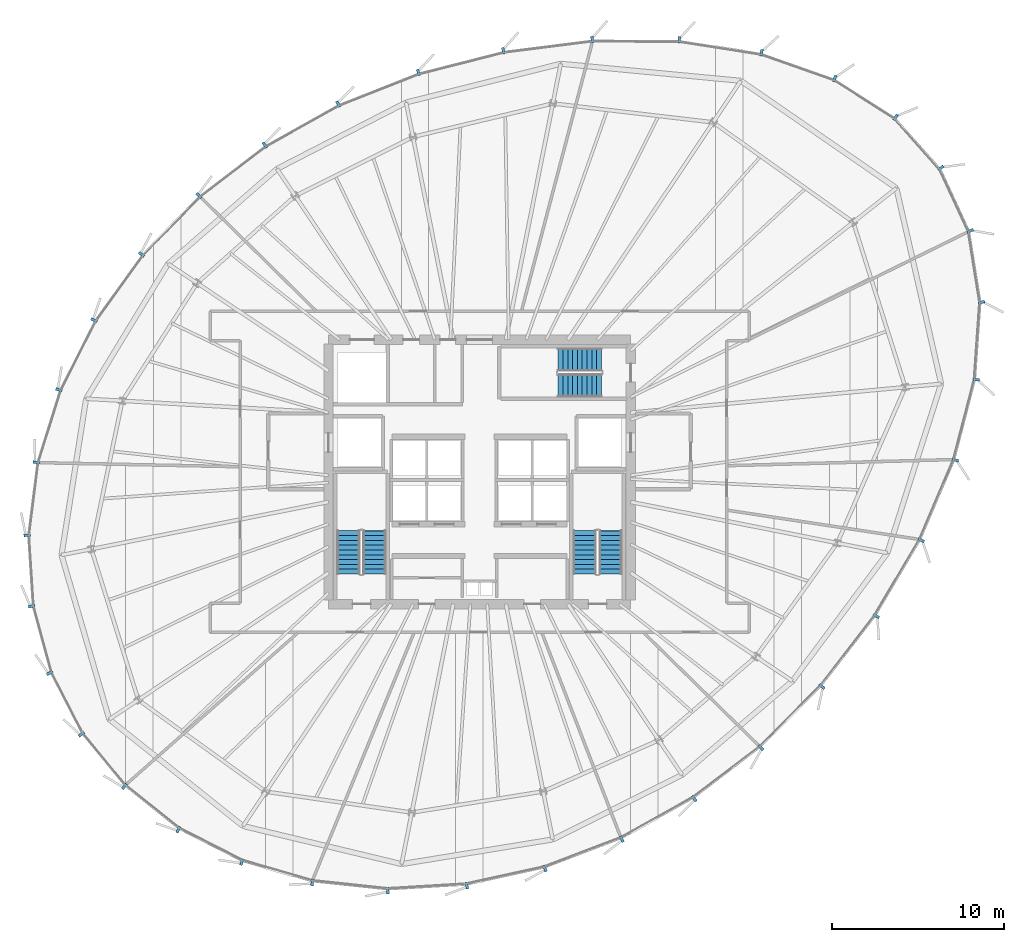
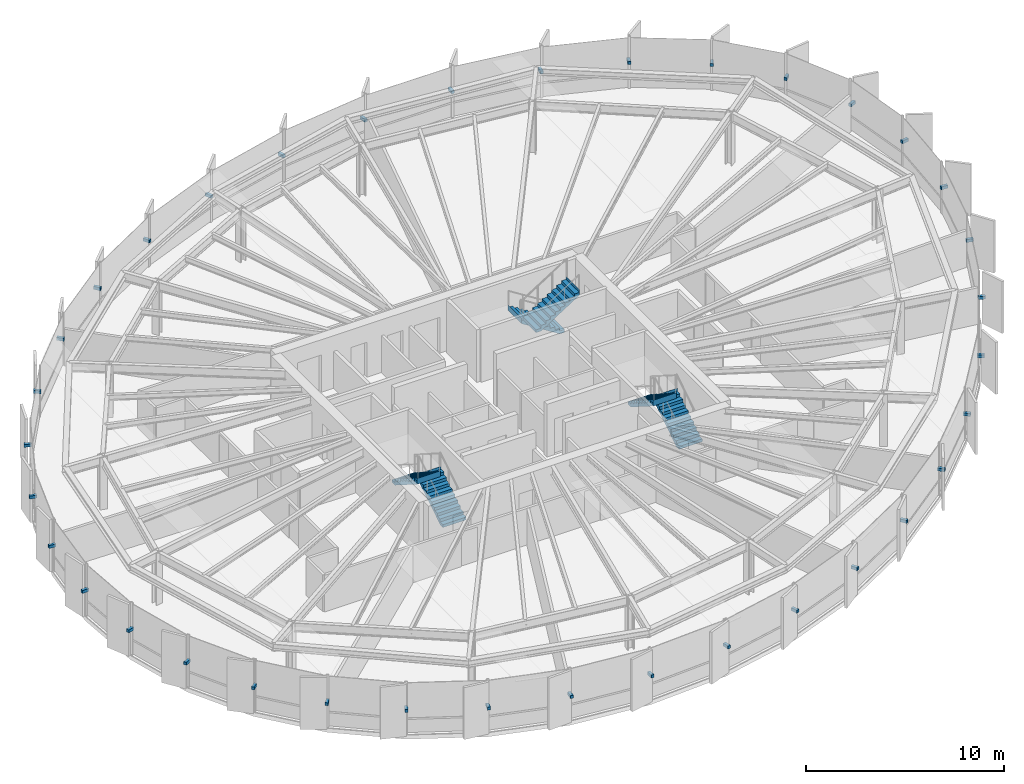
# One storey, part 31 of 35: 36 discrete accessories, 6 stair flights, 3 elements without a shape of their own.
"""IFC4 building model written with IfcOpenShell, lengths in metres."""

from ifc_helpers import new_model, si_unit, direction, frame, origin, origin_2d, place, context, subcontext, project, spatial, polyline, rectangle, outline, extrude, source, transform, mapped, material, type_object, element, aggregate, save


model = new_model("IFC4")

# Units and contexts
model_context = context("Model", 3, precision=1e-05, world=origin(), true_north=direction((0.0, 1.0)))
body_context = subcontext(model_context, "Body", "Model", "MODEL_VIEW")
ifc_project = project(units=[si_unit("LENGTHUNIT", "METRE"), si_unit("AREAUNIT", "SQUARE_METRE"), si_unit("VOLUMEUNIT", "CUBIC_METRE"), si_unit("PLANEANGLEUNIT", "RADIAN"), si_unit("MASSUNIT", "GRAM", prefix="KILO"), si_unit("THERMODYNAMICTEMPERATUREUNIT", "KELVIN")], contexts=[model_context])

# Site, building, storey
site_placement = place(None, origin())
site = spatial("IfcSite", under=ifc_project, at=site_placement, CompositionType="ELEMENT")
building_placement = place(site_placement, origin())
building = spatial("IfcBuilding", under=site, at=building_placement, Name="Kethvar Cultural Tower", CompositionType="ELEMENT")
storey_placement = place(building_placement, frame((0.0, 0.0, 167.85009765625)))
storey = spatial("IfcBuildingStorey", under=building, at=storey_placement, Name="L43", CompositionType="ELEMENT", Elevation=167.85009765625)

# Stair, stair flights
ifc_material_1 = material(Name="Concrete C40/50", Category="concrete")
stair_type = type_object("IfcStairType", Name="ST-DOGLEG-135", PredefinedType="HALF_TURN_STAIR", material=ifc_material_1)
stair_1_placement = place(storey_placement, origin())
stair_1 = element("IfcStair", 1, at=stair_1_placement, inside=storey, type_object=stair_type, Name="L43 Core Exit Stair 1", PredefinedType="HALF_TURN_STAIR")
stair_flight_type = type_object("IfcStairFlightType", Name="FL-STRAIGHT-135", PredefinedType="STRAIGHT", material=ifc_material_1)
stair_flight_1_placement = place(storey_placement, frame((40.675048828125, 21.85009765625, 0.0), z_axis=(0.0, 0.0, 1.0), x_axis=(0.0, 1.0, 0.0)))
stair_flight_1 = element("IfcStairFlight", 2, at=stair_flight_1_placement, type_object=stair_flight_type, Name="ST-01 flight 1", NumberOfRisers=10, NumberOfTreads=9, PredefinedType="STRAIGHT", RiserHeight=0.1775, TreadLength=0.28, context=body_context, shape_type="SweptSolid", body=[
    extrude(outline(polyline([(-0.0009765625, -0.0009765625), (-0.0009765625, 0.177490234375), (0.280029296875, 0.177490234375), (0.280029296875, 0.35498046875), (0.56005859375, 0.35498046875), (0.56005859375, 0.532470703125), (0.840087890625, 0.532470703125), (0.840087890625, 0.7099609375), (1.1201171875, 0.7099609375), (1.1201171875, 0.887451171875), (1.39990234375, 0.887451171875), (1.39990234375, 1.06494140625), (1.679931640625, 1.06494140625), (1.679931640625, 1.242431640625), (1.9599609375, 1.242431640625), (1.9599609375, 1.419921875), (2.239990234375, 1.419921875), (2.239990234375, 1.597412109375), (2.52001953125, 1.597412109375), (2.52001953125, 1.77490234375), (2.52099609375, 1.77490234375), (2.52099609375, 1.419921875), (0.280029296875, 0.0), (0.0, -0.0009765625), (-0.0009765625, -0.0009765625)])), frame((0.0, 0.675048828125, 0.0), z_axis=(0.0, -1.0, 0.0), x_axis=(1.0, 0.0, 0.0)), (0.0, 0.0, 1.0), 1.35009765625),
])
stair_flight_2_placement = place(storey_placement, frame((39.1650390625, 24.3701171875, 1.77490234375), z_axis=(0.0, 0.0, 1.0), x_axis=(0.0, -1.0, 0.0)))
stair_flight_2 = element("IfcStairFlight", 3, at=stair_flight_2_placement, type_object=stair_flight_type, Name="ST-01 flight 2", NumberOfRisers=10, NumberOfTreads=9, PredefinedType="STRAIGHT", RiserHeight=0.1775, TreadLength=0.28, context=body_context, shape_type="SweptSolid", body=[
    extrude(outline(polyline([(-0.0009765625, -0.0009765625), (-0.0009765625, 0.177490234375), (0.280029296875, 0.177490234375), (0.280029296875, 0.35498046875), (0.56005859375, 0.35498046875), (0.56005859375, 0.532470703125), (0.840087890625, 0.532470703125), (0.840087890625, 0.7099609375), (1.1201171875, 0.7099609375), (1.1201171875, 0.887451171875), (1.39990234375, 0.887451171875), (1.39990234375, 1.06494140625), (1.679931640625, 1.06494140625), (1.679931640625, 1.242431640625), (1.9599609375, 1.242431640625), (1.9599609375, 1.419921875), (2.239990234375, 1.419921875), (2.239990234375, 1.597412109375), (2.52001953125, 1.597412109375), (2.52001953125, 1.77490234375), (2.52099609375, 1.77490234375), (2.52099609375, 1.419921875), (0.280029296875, 0.0), (0.0, -0.0009765625), (-0.0009765625, -0.0009765625)])), frame((0.0, 0.675048828125, 0.0), z_axis=(0.0, -1.0, 0.0), x_axis=(1.0, 0.0, 0.0)), (0.0, 0.0, 1.0), 1.35009765625),
])
aggregate(stair_1, [stair_flight_1, stair_flight_2])

stair_2_placement = place(storey_placement, origin())
stair_2 = element("IfcStair", 4, at=stair_2_placement, inside=storey, type_object=stair_type, Name="L43 Core Exit Stair 2", PredefinedType="HALF_TURN_STAIR")
stair_flight_3_placement = place(storey_placement, frame((54.43505859375, 21.85009765625, 0.0), z_axis=(0.0, 0.0, 1.0), x_axis=(0.0, 1.0, 0.0)))
stair_flight_3 = element("IfcStairFlight", 5, at=stair_flight_3_placement, type_object=stair_flight_type, Name="ST-02 flight 1", NumberOfRisers=10, NumberOfTreads=9, PredefinedType="STRAIGHT", RiserHeight=0.1775, TreadLength=0.28, context=body_context, shape_type="SweptSolid", body=[
    extrude(outline(polyline([(-0.0009765625, -0.0009765625), (-0.0009765625, 0.177490234375), (0.280029296875, 0.177490234375), (0.280029296875, 0.35498046875), (0.56005859375, 0.35498046875), (0.56005859375, 0.532470703125), (0.840087890625, 0.532470703125), (0.840087890625, 0.7099609375), (1.1201171875, 0.7099609375), (1.1201171875, 0.887451171875), (1.39990234375, 0.887451171875), (1.39990234375, 1.06494140625), (1.679931640625, 1.06494140625), (1.679931640625, 1.242431640625), (1.9599609375, 1.242431640625), (1.9599609375, 1.419921875), (2.239990234375, 1.419921875), (2.239990234375, 1.597412109375), (2.52001953125, 1.597412109375), (2.52001953125, 1.77490234375), (2.52099609375, 1.77490234375), (2.52099609375, 1.419921875), (0.280029296875, 0.0), (0.0, -0.0009765625), (-0.0009765625, -0.0009765625)])), frame((0.0, 0.675048828125, 0.0), z_axis=(0.0, -1.0, 0.0), x_axis=(1.0, 0.0, 0.0)), (0.0, 0.0, 1.0), 1.35009765625),
])
stair_flight_4_placement = place(storey_placement, frame((52.925048828125, 24.3701171875, 1.77490234375), z_axis=(0.0, 0.0, 1.0), x_axis=(0.0, -1.0, 0.0)))
stair_flight_4 = element("IfcStairFlight", 6, at=stair_flight_4_placement, type_object=stair_flight_type, Name="ST-02 flight 2", NumberOfRisers=10, NumberOfTreads=9, PredefinedType="STRAIGHT", RiserHeight=0.1775, TreadLength=0.28, context=body_context, shape_type="SweptSolid", body=[
    extrude(outline(polyline([(-0.0009765625, -0.0009765625), (-0.0009765625, 0.177490234375), (0.280029296875, 0.177490234375), (0.280029296875, 0.35498046875), (0.56005859375, 0.35498046875), (0.56005859375, 0.532470703125), (0.840087890625, 0.532470703125), (0.840087890625, 0.7099609375), (1.1201171875, 0.7099609375), (1.1201171875, 0.887451171875), (1.39990234375, 0.887451171875), (1.39990234375, 1.06494140625), (1.679931640625, 1.06494140625), (1.679931640625, 1.242431640625), (1.9599609375, 1.242431640625), (1.9599609375, 1.419921875), (2.239990234375, 1.419921875), (2.239990234375, 1.597412109375), (2.52001953125, 1.597412109375), (2.52001953125, 1.77490234375), (2.52099609375, 1.77490234375), (2.52099609375, 1.419921875), (0.280029296875, 0.0), (0.0, -0.0009765625), (-0.0009765625, -0.0009765625)])), frame((0.0, 0.675048828125, 0.0), z_axis=(0.0, -1.0, 0.0), x_axis=(1.0, 0.0, 0.0)), (0.0, 0.0, 1.0), 1.35009765625),
])
aggregate(stair_2, [stair_flight_3, stair_flight_4])

stair_3_placement = place(storey_placement, origin())
stair_3 = element("IfcStair", 7, at=stair_3_placement, inside=storey, type_object=stair_type, Name="L43 Core Exit Stair 3", PredefinedType="HALF_TURN_STAIR")
stair_flight_5_placement = place(storey_placement, frame((53.89990234375, 34.3349609375, 0.0), z_axis=(0.0, 0.0, 1.0), x_axis=(-1.0, 0.0, 0.0)))
stair_flight_5 = element("IfcStairFlight", 8, at=stair_flight_5_placement, type_object=stair_flight_type, Name="ST-03 flight 1", NumberOfRisers=10, NumberOfTreads=9, PredefinedType="STRAIGHT", RiserHeight=0.1775, TreadLength=0.28, context=body_context, shape_type="SweptSolid", body=[
    extrude(outline(polyline([(-0.0009765625, -0.0009765625), (-0.0009765625, 0.177490234375), (0.280029296875, 0.177490234375), (0.280029296875, 0.35498046875), (0.56005859375, 0.35498046875), (0.56005859375, 0.532470703125), (0.840087890625, 0.532470703125), (0.840087890625, 0.7099609375), (1.1201171875, 0.7099609375), (1.1201171875, 0.887451171875), (1.39990234375, 0.887451171875), (1.39990234375, 1.06494140625), (1.679931640625, 1.06494140625), (1.679931640625, 1.242431640625), (1.9599609375, 1.242431640625), (1.9599609375, 1.419921875), (2.239990234375, 1.419921875), (2.239990234375, 1.597412109375), (2.52001953125, 1.597412109375), (2.52001953125, 1.77490234375), (2.52099609375, 1.77490234375), (2.52099609375, 1.419921875), (0.280029296875, 0.0), (0.0, -0.0009765625), (-0.0009765625, -0.0009765625)])), frame((0.0, 0.675048828125, 0.0), z_axis=(0.0, -1.0, 0.0), x_axis=(1.0, 0.0, 0.0)), (0.0, 0.0, 1.0), 1.35009765625),
])
stair_flight_6_placement = place(storey_placement, frame((51.3798828125, 32.824951171875, 1.77490234375), z_axis=(0.0, 0.0, 1.0), x_axis=(1.0, 0.0, 0.0)))
stair_flight_6 = element("IfcStairFlight", 9, at=stair_flight_6_placement, type_object=stair_flight_type, Name="ST-03 flight 2", NumberOfRisers=10, NumberOfTreads=9, PredefinedType="STRAIGHT", RiserHeight=0.1775, TreadLength=0.28, context=body_context, shape_type="SweptSolid", body=[
    extrude(outline(polyline([(-0.0009765625, -0.0009765625), (-0.0009765625, 0.177490234375), (0.280029296875, 0.177490234375), (0.280029296875, 0.35498046875), (0.56005859375, 0.35498046875), (0.56005859375, 0.532470703125), (0.840087890625, 0.532470703125), (0.840087890625, 0.7099609375), (1.1201171875, 0.7099609375), (1.1201171875, 0.887451171875), (1.39990234375, 0.887451171875), (1.39990234375, 1.06494140625), (1.679931640625, 1.06494140625), (1.679931640625, 1.242431640625), (1.9599609375, 1.242431640625), (1.9599609375, 1.419921875), (2.239990234375, 1.419921875), (2.239990234375, 1.597412109375), (2.52001953125, 1.597412109375), (2.52001953125, 1.77490234375), (2.52099609375, 1.77490234375), (2.52099609375, 1.419921875), (0.280029296875, 0.0), (0.0, -0.0009765625), (-0.0009765625, -0.0009765625)])), frame((0.0, 0.675048828125, 0.0), z_axis=(0.0, -1.0, 0.0), x_axis=(1.0, 0.0, 0.0)), (0.0, 0.0, 1.0), 1.35009765625),
])
aggregate(stair_3, [stair_flight_5, stair_flight_6])

# Discrete accessories
ifc_material_2 = material(Name="Steel S355J2", Category="steel")
discrete_accessory_type = type_object("IfcDiscreteAccessoryType", Name="Steel Fin Bracket BRK-01", PredefinedType="BRACKET", material=ifc_material_2)
shared_shape = source(origin(), body_context, "Body", "SweptSolid", [
    extrude(rectangle(XDim=0.3798828125, YDim=0.159912109375, at=origin_2d()), origin(), (0.0, 0.0, 1.0), 0.179931640625),
])
for number, where, z_axis, x_axis, name in (
    (10, (73.672119140625, 45.49951171875, 1.52978515625), (0.0, 0.0, 1.0), (0.746057375062, 0.665881666001, 0.0), "L43 Terracotta Fin Bracket 1.1"),
    (11, (71.03466796875, 48.454345703125, 1.52978515625), (0.0, 0.0, 1.0), (0.537593974759, 0.84320384149, 0.0), "L43 Terracotta Fin Bracket 1.2"),
    (12, (67.489013671875, 50.714111328125, 1.52978515625), (0.0, 0.0, 1.0), (0.331996503416, 0.943280616635, 0.0), "L43 Terracotta Fin Bracket 1.3"),
    (13, (63.221435546875, 52.216064453125, 1.52978515625), (0.0, 0.0, 1.0), (0.15436551383, 0.988013809691, 0.0), "L43 Terracotta Fin Bracket 1.4"),
    (14, (58.436279296875, 52.96337890625, 1.52978515625), (0.0, 0.0, 1.0), (0.00506143322, 0.999987190865, 0.0), "L43 Terracotta Fin Bracket 1.5"),
    (15, (53.362548828125, 52.989013671875, 1.52978515625), (0.0, 0.0, 1.0), (-0.125160074975, 0.992136560979, 0.0), "L43 Terracotta Fin Bracket 1.6"),
    (16, (48.19091796875, 52.331298828125, 1.52978515625), (0.0, 0.0, 1.0), (-0.246660747381, 0.96910189129, 0.0), "L43 Terracotta Fin Bracket 2.1"),
    (17, (43.240966796875, 51.071533203125, 1.52978515625), (0.0, 0.0, 1.0), (-0.366663609641, 0.93035358728, 0.0), "L43 Terracotta Fin Bracket 2.2"),
    (18, (38.56201171875, 49.227294921875, 1.52978515625), (0.0, 0.0, 1.0), (-0.488468954775, 0.872581274278, 0.0), "L43 Terracotta Fin Bracket 2.3"),
    (19, (34.2939453125, 46.83740234375, 1.52978515625), (0.0, 0.0, 1.0), (-0.607375839723, 0.794414620535, 0.0), "L43 Terracotta Fin Bracket 2.4"),
    (20, (30.451904296875, 43.899658203125, 1.52978515625), (0.0, 0.0, 1.0), (-0.715570826341, 0.698540186739, 0.0), "L43 Terracotta Fin Bracket 2.5"),
    (21, (27.106201171875, 40.47265625, 1.52978515625), (0.0, 0.0, 1.0), (-0.811267958321, 0.584674524674, 0.0), "L43 Terracotta Fin Bracket 2.6"),
    (22, (24.341552734375, 36.625732421875, 1.52978515625), (0.0, 0.0, 1.0), (-0.892270829056, 0.451500573218, 0.0), "L43 Terracotta Fin Bracket 3.1"),
    (23, (22.293701171875, 32.5791015625, 1.52978515625), (0.0, 0.0, 1.0), (-0.954448865814, 0.298374534012, 0.0), "L43 Terracotta Fin Bracket 3.2"),
    (24, (20.972900390625, 28.352294921875, 1.52978515625), (0.0, 0.0, 1.0), (-0.992114701314, 0.125333233564, 0.0), "L43 Terracotta Fin Bracket 3.3"),
    (25, (20.43701171875, 24.10888671875, 1.52978515625), (0.0, 0.0, 1.0), (-0.997949270516, -0.064009792035, 0.0), "L43 Terracotta Fin Bracket 3.4"),
    (26, (20.701904296875, 19.977294921875, 1.52978515625), (0.0, 0.0, 1.0), (-0.965016494472, -0.262189178641, 0.0), "L43 Terracotta Fin Bracket 3.5"),
    (27, (21.760009765625, 16.083251953125, 1.52978515625), (0.0, 0.0, 1.0), (-0.889336581107, -0.457253152537, 0.0), "L43 Terracotta Fin Bracket 3.6"),
    (28, (23.60400390625, 12.515380859375, 1.52978515625), (0.0, 0.0, 1.0), (-0.772844343101, -0.634595636084, 0.0), "L43 Terracotta Fin Bracket 4.1"),
    (29, (26.10400390625, 9.47119140625, 1.52978515625), (0.0, 0.0, 1.0), (-0.623879596709, -0.781520472419, 0.0), "L43 Terracotta Fin Bracket 4.2"),
    (30, (29.257568359375, 6.9541015625, 1.52978515625), (0.0, 0.0, 1.0), (-0.455078730475, -0.890451205327, 0.0), "L43 Terracotta Fin Bracket 4.3"),
    (31, (32.944091796875, 5.0703125, 1.52978515625), (0.0, 0.0, 1.0), (-0.278991106039, -0.960293685677, 0.0), "L43 Terracotta Fin Bracket 4.4"),
    (32, (37.051513671875, 3.87744140625, 1.52978515625), (0.0, 0.0, 1.0), (-0.105222745001, -0.994448678381, 0.0), "L43 Terracotta Fin Bracket 4.5"),
    (33, (41.455078125, 3.4111328125, 1.52978515625), (0.0, 0.0, 1.0), (0.060003261936, -0.998198181003, 0.0), "L43 Terracotta Fin Bracket 4.6"),
    (34, (46.05908203125, 3.694580078125, 1.52978515625), (0.0, 0.0, 1.0), (0.214394391152, -0.9767471756, 0.0), "L43 Terracotta Fin Bracket 5.1"),
    (35, (50.6103515625, 4.693603515625, 1.52978515625), (0.0, 0.0, 1.0), (0.356901043325, -0.934142197566, 0.0), "L43 Terracotta Fin Bracket 5.2"),
    (36, (55.083984375, 6.403076171875, 1.52978515625), (0.0, 0.0, 1.0), (0.487859659139, -0.87292207727, 0.0), "L43 Terracotta Fin Bracket 5.3"),
    (37, (59.30615234375, 8.762451171875, 1.52978515625), (0.0, 0.0, 1.0), (0.606821085724, -0.794838455235, 0.0), "L43 Terracotta Fin Bracket 5.4"),
    (38, (63.1943359375, 11.730712890625, 1.52978515625), (0.0, 0.0, 1.0), (0.708216629106, -0.705995188551, 0.0), "L43 Terracotta Fin Bracket 5.5"),
    (39, (66.7451171875, 15.29248046875, 1.52978515625), (0.0, 0.0, 1.0), (0.791436947965, -0.61125081382, 0.0), "L43 Terracotta Fin Bracket 5.6"),
    (40, (69.910400390625, 19.399658203125, 1.52978515625), (0.0, 0.0, 1.0), (0.860830858381, -0.508891180174, 0.0), "L43 Terracotta Fin Bracket 6.1"),
    (41, (72.524169921875, 23.8203125, 1.52978515625), (0.0, 0.0, 1.0), (0.919753007568, -0.392497649764, 0.0), "L43 Terracotta Fin Bracket 6.2"),
    (42, (74.515625, 28.487060546875, 1.52978515625), (0.0, 0.0, 1.0), (0.968060182288, -0.250717936073, 0.0), "L43 Terracotta Fin Bracket 6.3"),
    (43, (75.72998046875, 33.17578125, 1.52978515625), (0.0, 0.0, 1.0), (0.997551860265, -0.069930580453, 0.0), "L43 Terracotta Fin Bracket 6.4"),
    (44, (76.046142578125, 37.689453125, 1.52978515625), (0.0, 0.0, 1.0), (0.987358539015, 0.158502730052, 0.0), "L43 Terracotta Fin Bracket 6.5"),
    (45, (75.379638671875, 41.84130859375, 1.52978515625), (0.0, 0.0, 1.0), (0.907411091929, 0.420244107924, 0.0), "L43 Terracotta Fin Bracket 6.6"),
):
    element("IfcDiscreteAccessory", number, at=place(storey_placement, frame(where, z_axis=z_axis, x_axis=x_axis)), inside=storey, type_object=discrete_accessory_type, Name=name, PredefinedType="BRACKET", context=body_context, shape_type="MappedRepresentation", body=[
        mapped(shared_shape, transform((0.0, 0.0, 0.0), scale=1.0)),
    ])

save(model, "model.ifc")
